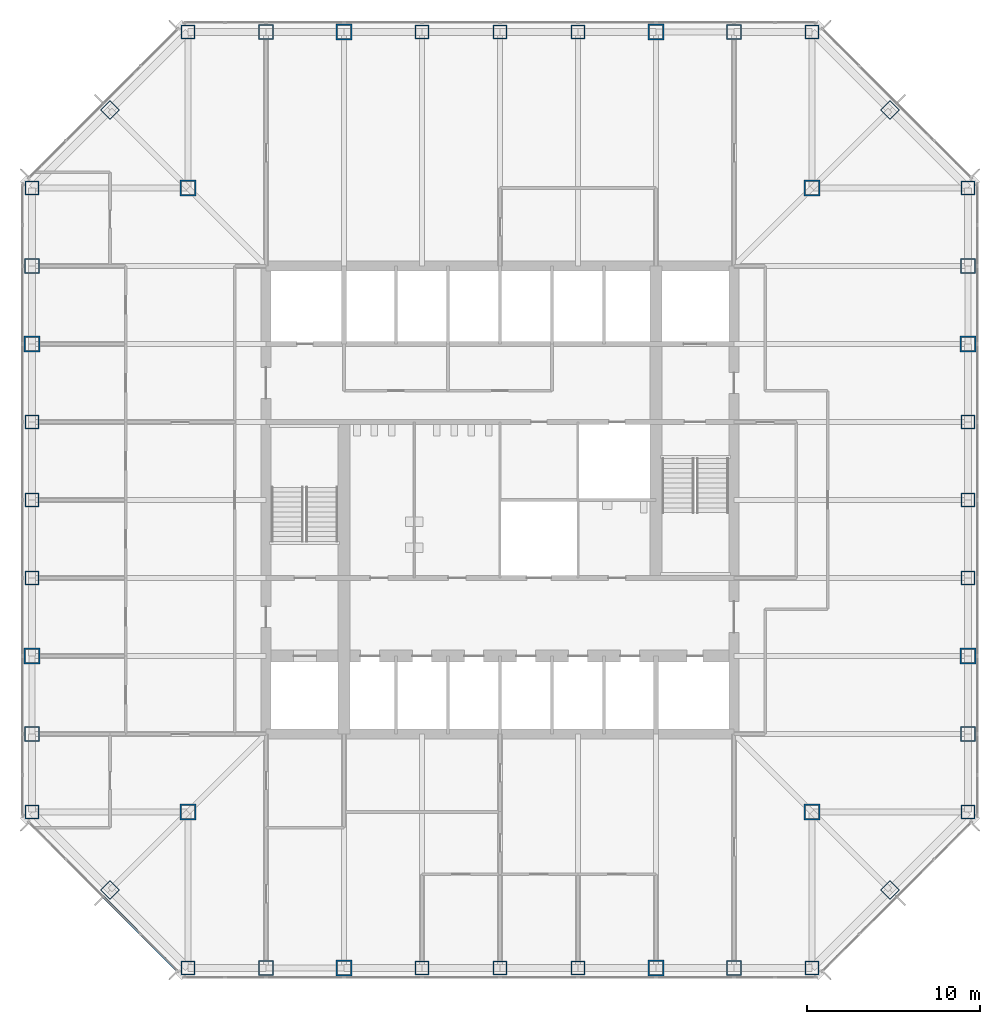
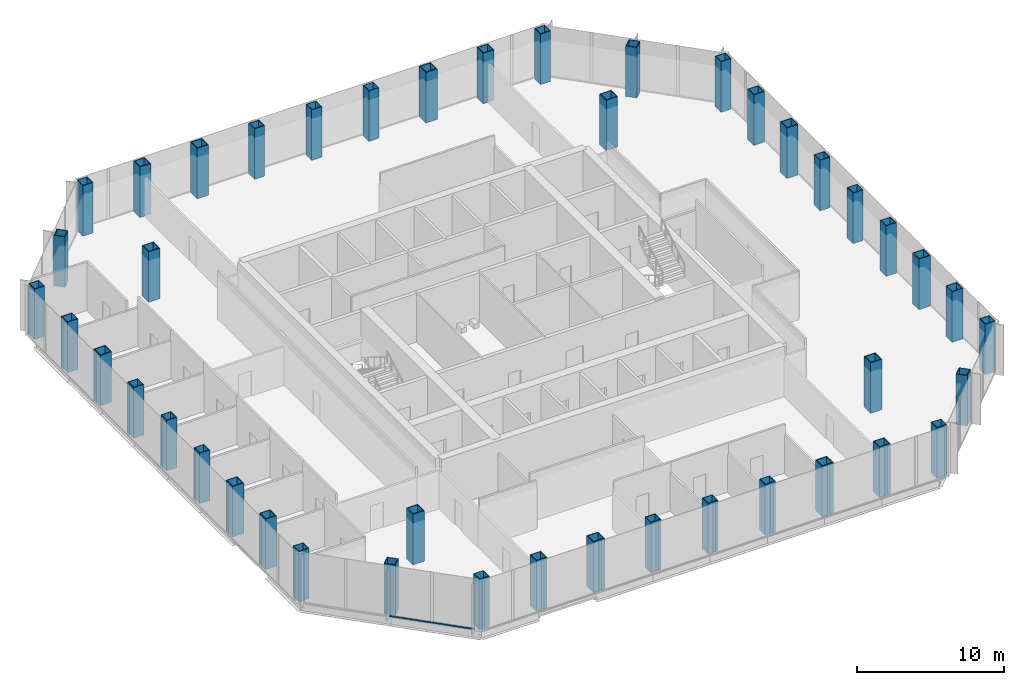
# One storey, part 1 of 13: 44 columns, 2 members, 1 element without a shape of its own.
"""IFC4 building model written with IfcOpenShell, lengths in metres."""

from ifc_helpers import new_model, si_unit, direction, frame, origin, origin_2d, place, context, subcontext, project, spatial, rectangle, hollow_rectangle, extrude, material, material_profile, profile_set, type_object, element, aggregate, save


model = new_model("IFC4")

# Units and contexts
model_context = context("Model", 3, precision=1e-05, world=origin(), true_north=direction((0.0, 1.0)))
body_context = subcontext(model_context, "Body", "Model", "MODEL_VIEW")
ifc_project = project(units=[si_unit("LENGTHUNIT", "METRE"), si_unit("AREAUNIT", "SQUARE_METRE"), si_unit("VOLUMEUNIT", "CUBIC_METRE"), si_unit("PLANEANGLEUNIT", "RADIAN"), si_unit("MASSUNIT", "GRAM", prefix="KILO")], contexts=[model_context])

# Site, building, storey
site_placement = place(None, origin())
site = spatial("IfcSite", under=ifc_project, at=site_placement, CompositionType="ELEMENT")
building_placement = place(site_placement, origin())
building = spatial("IfcBuilding", under=site, at=building_placement, Name="Corais Broadcast Tower", CompositionType="ELEMENT")
storey_placement = place(building_placement, frame((0.0, 0.0, 87.800048828125)))
storey = spatial("IfcBuildingStorey", under=building, at=storey_placement, Name="L19", CompositionType="ELEMENT", Elevation=87.800048828125)

# Columns
ifc_material_1 = material(Name="Steel ASTM A572 Grade 50", Category="steel")
ifc_material_profile_1 = material_profile(ifc_material_1, hollow_rectangle(XDim=0.800048828125, YDim=0.800048828125, WallThickness=0.044921875, at=origin_2d()), Name="BOX 800x800x45")
ifc_profile_set_1 = profile_set([ifc_material_profile_1], Name="Steel ASTM A572 Grade 50")
column_type_1 = type_object("IfcColumnType", Name="Column BOX 800x800x45", PredefinedType="COLUMN", material=ifc_profile_set_1)
for number, where, z_axis, x_axis, name in (
    (1, (9.0, 0.0, 0.0), (0.0, 0.0, 1.0), (1.0, 0.0, 0.0), "C3 A/5"),
    (2, (22.5, 0.0, 0.0), (0.0, 0.0, 1.0), (1.0, 0.0, 0.0), "C3 A/8"),
    (3, (27.0, 0.0, 0.0), (0.0, 0.0, 1.0), (1.0, 0.0, 0.0), "C3 A/9"),
    (4, (31.5, 0.0, 0.0), (0.0, 0.0, 1.0), (1.0, 0.0, 0.0), "C3 A/10"),
    (5, (45.0, 0.0, 0.0), (0.0, 0.0, 1.0), (1.0, 0.0, 0.0), "C3 A/13"),
    (6, (54.0, 9.0, 0.0), (0.0, 0.0, 1.0), (1.0, 0.0, 0.0), "C3 C/15"),
    (7, (54.0, 22.5, 0.0), (0.0, 0.0, 1.0), (1.0, 0.0, 0.0), "C3 F/15"),
    (8, (54.0, 27.0, 0.0), (0.0, 0.0, 1.0), (1.0, 0.0, 0.0), "C3 G/15"),
    (9, (54.0, 31.5, 0.0), (0.0, 0.0, 1.0), (1.0, 0.0, 0.0), "C3 H/15"),
    (10, (54.0, 45.0, 0.0), (0.0, 0.0, 1.0), (1.0, 0.0, 0.0), "C3 L/15"),
    (11, (45.0, 54.0, 0.0), (0.0, 0.0, 1.0), (1.0, 0.0, 0.0), "C3 N/13"),
    (12, (31.5, 54.0, 0.0), (0.0, 0.0, 1.0), (1.0, 0.0, 0.0), "C3 N/10"),
    (13, (27.0, 54.0, 0.0), (0.0, 0.0, 1.0), (1.0, 0.0, 0.0), "C3 N/9"),
    (14, (22.5, 54.0, 0.0), (0.0, 0.0, 1.0), (1.0, 0.0, 0.0), "C3 N/8"),
    (15, (9.0, 54.0, 0.0), (0.0, 0.0, 1.0), (1.0, 0.0, 0.0), "C3 N/5"),
    (16, (0.0, 45.0, 0.0), (0.0, 0.0, 1.0), (1.0, 0.0, 0.0), "C3 L/3"),
    (17, (0.0, 31.5, 0.0), (0.0, 0.0, 1.0), (1.0, 0.0, 0.0), "C3 H/3"),
    (18, (0.0, 27.0, 0.0), (0.0, 0.0, 1.0), (1.0, 0.0, 0.0), "C3 G/3"),
    (19, (0.0, 22.5, 0.0), (0.0, 0.0, 1.0), (1.0, 0.0, 0.0), "C3 F/3"),
    (20, (0.0, 9.0, 0.0), (0.0, 0.0, 1.0), (1.0, 0.0, 0.0), "C3 C/3"),
    (21, (4.5, 4.5, 0.0), (0.0, 0.0, 1.0), (0.707106781187, 0.707106781187, 0.0), "C3 B/4"),
    (22, (49.5, 4.5, 0.0), (0.0, 0.0, 1.0), (0.707106781187, 0.707106781187, 0.0), "C3 B/14"),
    (23, (49.5, 49.5, 0.0), (0.0, 0.0, 1.0), (0.707106781187, 0.707106781187, 0.0), "C3 M/14"),
    (24, (4.5, 49.5, 0.0), (0.0, 0.0, 1.0), (0.707106781187, 0.707106781187, 0.0), "C3 M/4"),
):
    element("IfcColumn", number, at=place(storey_placement, frame(where, z_axis=z_axis, x_axis=x_axis)), inside=storey, type_object=column_type_1, Name=name, PredefinedType="COLUMN", context=body_context, shape_type="SweptSolid", body=[
        extrude(hollow_rectangle(XDim=0.800048828125, YDim=0.800048828125, WallThickness=0.044921875, at=origin_2d()), origin(), (0.0, 0.0, 1.0), 4.199951171875),
    ])
ifc_material_2 = material(Name="Steel ASTM A572 Grade 50", Category="steel")
ifc_material_profile_2 = material_profile(ifc_material_2, hollow_rectangle(XDim=0.85009765625, YDim=0.85009765625, WallThickness=0.050048828125, at=origin_2d()), Name="BOX 850x850x50")
ifc_profile_set_2 = profile_set([ifc_material_profile_2], Name="Steel ASTM A572 Grade 50")
column_type_2 = type_object("IfcColumnType", Name="Column BOX 850x850x50", PredefinedType="COLUMN", material=ifc_profile_set_2)
for number, where, z_axis, x_axis, name in (
    (25, (13.5, 0.0, 0.0), (0.0, 0.0, 1.0), (1.0, 0.0, 0.0), "C1 A/6"),
    (26, (40.5, 0.0, 0.0), (0.0, 0.0, 1.0), (1.0, 0.0, 0.0), "C1 A/12"),
    (27, (54.0, 13.5, 0.0), (0.0, 0.0, 1.0), (1.0, 0.0, 0.0), "C1 D/15"),
    (28, (54.0, 40.5, 0.0), (0.0, 0.0, 1.0), (1.0, 0.0, 0.0), "C1 K/15"),
    (29, (40.5, 54.0, 0.0), (0.0, 0.0, 1.0), (1.0, 0.0, 0.0), "C1 N/12"),
    (30, (13.5, 54.0, 0.0), (0.0, 0.0, 1.0), (1.0, 0.0, 0.0), "C1 N/6"),
    (31, (0.0, 40.5, 0.0), (0.0, 0.0, 1.0), (1.0, 0.0, 0.0), "C1 K/3"),
    (32, (0.0, 13.5, 0.0), (0.0, 0.0, 1.0), (1.0, 0.0, 0.0), "C1 D/3"),
):
    element("IfcColumn", number, at=place(storey_placement, frame(where, z_axis=z_axis, x_axis=x_axis)), inside=storey, type_object=column_type_2, Name=name, PredefinedType="COLUMN", context=body_context, shape_type="SweptSolid", body=[
        extrude(hollow_rectangle(XDim=0.85009765625, YDim=0.85009765625, WallThickness=0.050048828125, at=origin_2d()), origin(), (0.0, 0.0, 1.0), 4.199951171875),
    ])
ifc_material_3 = material(Name="Steel ASTM A572 Grade 50", Category="steel")
ifc_material_profile_3 = material_profile(ifc_material_3, hollow_rectangle(XDim=0.89990234375, YDim=0.89990234375, WallThickness=0.06298828125, at=origin_2d()), Name="BOX 900x900x63")
ifc_profile_set_3 = profile_set([ifc_material_profile_3], Name="Steel ASTM A572 Grade 50")
column_type_3 = type_object("IfcColumnType", Name="Column BOX 900x900x63", PredefinedType="COLUMN", material=ifc_profile_set_3)
for number, where, z_axis, x_axis, name in (
    (33, (18.0, 0.0, 0.0), (0.0, 0.0, 1.0), (1.0, 0.0, 0.0), "C2 A/7"),
    (34, (36.0, 0.0, 0.0), (0.0, 0.0, 1.0), (1.0, 0.0, 0.0), "C2 A/11"),
    (35, (54.0, 18.0, 0.0), (0.0, 0.0, 1.0), (1.0, 0.0, 0.0), "C2 E/15"),
    (36, (54.0, 36.0, 0.0), (0.0, 0.0, 1.0), (1.0, 0.0, 0.0), "C2 J/15"),
    (37, (36.0, 54.0, 0.0), (0.0, 0.0, 1.0), (1.0, 0.0, 0.0), "C2 N/11"),
    (38, (18.0, 54.0, 0.0), (0.0, 0.0, 1.0), (1.0, 0.0, 0.0), "C2 N/7"),
    (39, (0.0, 36.0, 0.0), (0.0, 0.0, 1.0), (1.0, 0.0, 0.0), "C2 J/3"),
    (40, (0.0, 18.0, 0.0), (0.0, 0.0, 1.0), (1.0, 0.0, 0.0), "C2 E/3"),
    (41, (9.0, 9.0, 0.0), (0.0, 0.0, 1.0), (1.0, 0.0, 0.0), "C2 C/5"),
    (42, (45.0, 9.0, 0.0), (0.0, 0.0, 1.0), (1.0, 0.0, 0.0), "C2 C/13"),
    (43, (45.0, 45.0, 0.0), (0.0, 0.0, 1.0), (1.0, 0.0, 0.0), "C2 L/13"),
    (44, (9.0, 45.0, 0.0), (0.0, 0.0, 1.0), (1.0, 0.0, 0.0), "C2 L/5"),
):
    element("IfcColumn", number, at=place(storey_placement, frame(where, z_axis=z_axis, x_axis=x_axis)), inside=storey, type_object=column_type_3, Name=name, PredefinedType="COLUMN", context=body_context, shape_type="SweptSolid", body=[
        extrude(hollow_rectangle(XDim=0.89990234375, YDim=0.89990234375, WallThickness=0.06298828125, at=origin_2d()), origin(), (0.0, 0.0, 1.0), 4.199951171875),
    ])

# Curtain wall, members
ifc_material_4 = material(Name="Aluminium and glass", Category="aluminium")
curtain_wall_type = type_object("IfcCurtainWallType", Name="Unitised fritted curtain wall CW1", PredefinedType="NOTDEFINED", material=ifc_material_4)
curtain_wall_placement = place(storey_placement, origin())
curtain_wall = element("IfcCurtainWall", 45, at=curtain_wall_placement, inside=storey, type_object=curtain_wall_type, Name="CW1 curtain wall L19 1", PredefinedType="NOTDEFINED")
ifc_material_5 = material(Name="Aluminium 6063-T6", Category="aluminium")
ifc_material_profile_4 = material_profile(ifc_material_5, rectangle(XDim=0.139892578125, YDim=0.06494140625, at=origin_2d()), Name="Transom CW1 65x140")
ifc_profile_set_4 = profile_set([ifc_material_profile_4], Name="Aluminium 6063-T6")
member_type = type_object("IfcMemberType", Name="Transom CW1 65x140", PredefinedType="USERDEFINED", material=ifc_profile_set_4)
member_1_placement = place(storey_placement, frame((8.37255859375, -0.150390625, 0.032470703125), z_axis=(-0.707106781187, 0.707106781187, 0.0), x_axis=(-0.707106781187, -0.707106781187, 0.0)))
member_1 = element("IfcMember", 46, at=member_1_placement, type_object=member_type, Name="CW1 transom 1.1", ObjectType="TRANSOM", PredefinedType="USERDEFINED", context=body_context, shape_type="SweptSolid", body=[
    extrude(rectangle(XDim=0.139892578125, YDim=0.06494140625, at=origin_2d()), origin(), (0.0, 0.0, 1.0), 2.9482421875),
])
member_2_placement = place(storey_placement, frame((6.241943359375, 1.980224609375, 0.032470703125), z_axis=(-0.707106781187, 0.707106781187, 0.0), x_axis=(-0.707106781187, -0.707106781187, 0.0)))
member_2 = element("IfcMember", 47, at=member_2_placement, type_object=member_type, Name="CW1 transom 2.1", ObjectType="TRANSOM", PredefinedType="USERDEFINED", context=body_context, shape_type="SweptSolid", body=[
    extrude(rectangle(XDim=0.139892578125, YDim=0.06494140625, at=origin_2d()), origin(), (0.0, 0.0, 1.0), 2.98095703125),
])
aggregate(curtain_wall, [member_1, member_2])

save(model, "model.ifc")
